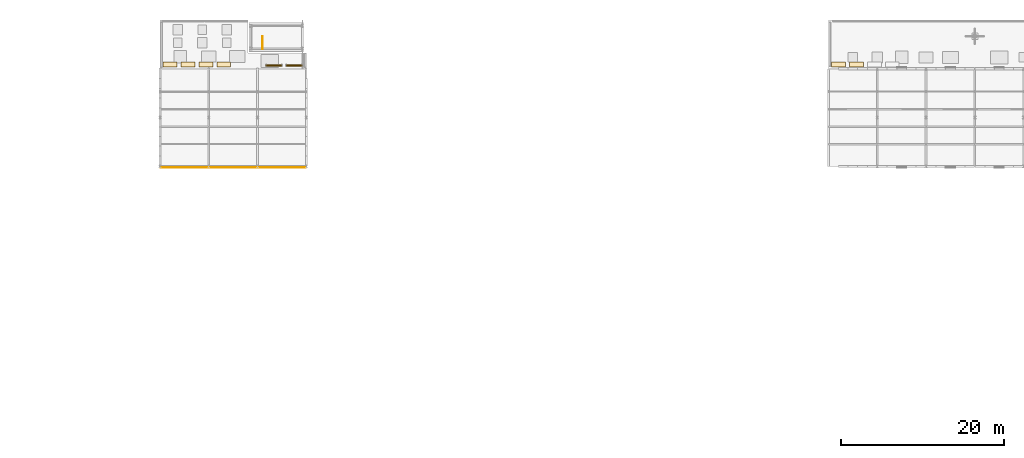
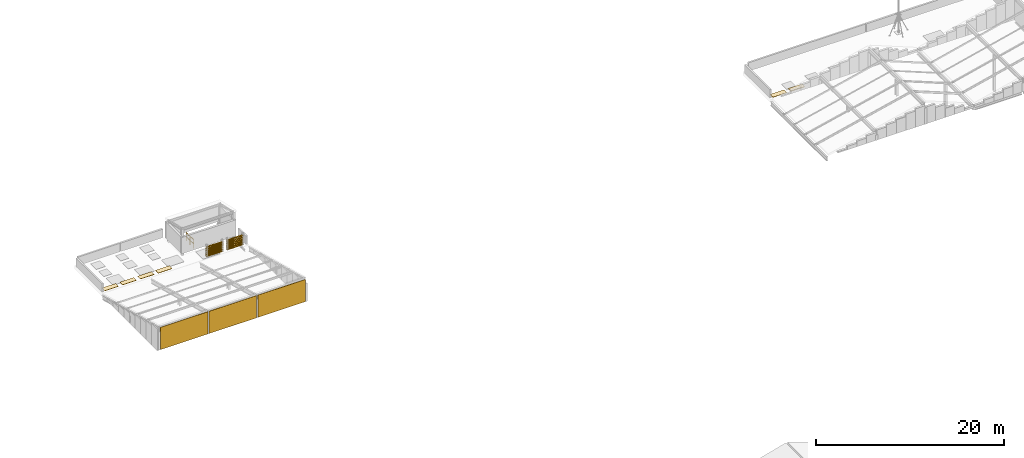
# One storey, part 72 of 74: 12 shading devices, 9 coverings, 1 railing.
"""IFC4 building model written with IfcOpenShell, lengths in metres."""

from ifc_helpers import new_model, si_unit, direction, frame, origin, origin_2d, place, context, subcontext, project, spatial, polyline, rectangle, circle, outline, extrude, material, layer, layer_set, type_object, element, save


model = new_model("IFC4")

# Units and contexts
model_context = context("Model", 3, precision=1e-05, world=origin(), true_north=direction((0.0, 1.0)))
body_context = subcontext(model_context, "Body", "Model", "MODEL_VIEW")
ifc_project = project(units=[si_unit("LENGTHUNIT", "METRE"), si_unit("AREAUNIT", "SQUARE_METRE"), si_unit("VOLUMEUNIT", "CUBIC_METRE"), si_unit("PLANEANGLEUNIT", "RADIAN"), si_unit("MASSUNIT", "GRAM", prefix="KILO")], contexts=[model_context])

# Site, building, storey
site_placement = place(None, origin())
site = spatial("IfcSite", under=ifc_project, at=site_placement, CompositionType="ELEMENT")
building_placement = place(site_placement, origin())
building = spatial("IfcBuilding", under=site, at=building_placement, Name="Siltcreek Boulevard Central Fire Station", CompositionType="ELEMENT")
storey_placement = place(building_placement, frame((0.0, 0.0, 25.199951171875)))
storey = spatial("IfcBuildingStorey", under=building, at=storey_placement, Name="RF", CompositionType="ELEMENT", Elevation=25.199951171875)

# Coverings
ifc_material_1 = material(Name="Clear-sealed Western Red Cedar gable cladding", Category="wood")
ifc_layer_1 = layer(ifc_material_1, 0.034912109375, Name="Clear-sealed Western Red Cedar gable cladding")
ifc_layer_set_1 = layer_set([ifc_layer_1], Name="Clear-sealed Western Red Cedar gable cladding")
covering_type_1 = type_object("IfcCoveringType", Name="COV_CLAD_CEDAR", PredefinedType="CLADDING", material=ifc_layer_set_1)
for number, where, z_axis, x_axis, name in (
    (1, (45.0, 94.052001953125, 0.030029296875), (0.0, 0.0, 1.0), (1.0, 0.0, 0.0), "Gable facade cladding panel CL-052"),
    (2, (51.0, 94.052001953125, 0.030029296875), (0.0, 0.0, 1.0), (1.0, 0.0, 0.0), "Gable facade cladding panel CL-053"),
    (3, (57.0, 94.052001953125, 0.030029296875), (0.0, 0.0, 1.0), (1.0, 0.0, 0.0), "Gable facade cladding panel CL-054"),
):
    element("IfcCovering", number, at=place(storey_placement, frame(where, z_axis=z_axis, x_axis=x_axis)), inside=storey, type_object=covering_type_1, Name=name, PredefinedType="CLADDING", context=body_context, shape_type="SweptSolid", body=[
        extrude(rectangle(XDim=5.85009765625, YDim=0.034912109375, at=origin_2d()), origin(), (0.0, 0.0, 1.0), 2.89208984375),
    ])
ifc_material_2 = material(Name="White standing-seam fluoropolymer aluminum roofing", Category="aluminium")
ifc_layer_2 = layer(ifc_material_2, 0.044921875, Name="White standing-seam fluoropolymer aluminum roofing")
ifc_layer_set_2 = layer_set([ifc_layer_2], Name="White standing-seam fluoropolymer aluminum roofing")
covering_type_2 = type_object("IfcCoveringType", Name="COV_ROOF_SEAM", PredefinedType="ROOFING", material=ifc_layer_set_2)
covering_1_placement = place(storey_placement, origin())
element("IfcCovering", 4, at=covering_1_placement, inside=storey, type_object=covering_type_2, Name="Roof weatherproofing membrane covering 01", PredefinedType="ROOFING", context=body_context, shape_type="SweptSolid", body=[
    extrude(outline(polyline([(42.39990234375, 106.449951171875), (44.10009765625, 106.449951171875), (44.10009765625, 107.050048828125), (42.39990234375, 107.050048828125), (42.39990234375, 106.449951171875)])), origin(), (0.0, 0.0, 1.0), 0.045166015625),
])
covering_2_placement = place(storey_placement, origin())
element("IfcCovering", 5, at=covering_2_placement, inside=storey, type_object=covering_type_2, Name="Roof weatherproofing membrane covering 02", PredefinedType="ROOFING", context=body_context, shape_type="SweptSolid", body=[
    extrude(outline(polyline([(44.60009765625, 106.449951171875), (46.300048828125, 106.449951171875), (46.300048828125, 107.050048828125), (44.60009765625, 107.050048828125), (44.60009765625, 106.449951171875)])), origin(), (0.0, 0.0, 1.0), 0.045166015625),
])
covering_3_placement = place(storey_placement, origin())
element("IfcCovering", 6, at=covering_3_placement, inside=storey, type_object=covering_type_2, Name="Roof weatherproofing membrane covering 03", PredefinedType="ROOFING", context=body_context, shape_type="SweptSolid", body=[
    extrude(outline(polyline([(46.800048828125, 106.449951171875), (48.5, 106.449951171875), (48.5, 107.050048828125), (46.800048828125, 107.050048828125), (46.800048828125, 106.449951171875)])), origin(), (0.0, 0.0, 1.0), 0.045166015625),
])
covering_4_placement = place(storey_placement, origin())
element("IfcCovering", 7, at=covering_4_placement, inside=storey, type_object=covering_type_2, Name="Roof weatherproofing membrane covering 04", PredefinedType="ROOFING", context=body_context, shape_type="SweptSolid", body=[
    extrude(outline(polyline([(49.0, 106.449951171875), (50.699951171875, 106.449951171875), (50.699951171875, 107.050048828125), (49.0, 107.050048828125), (49.0, 106.449951171875)])), origin(), (0.0, 0.0, 1.0), 0.045166015625),
])
covering_5_placement = place(storey_placement, frame((0.0, 0.0, -3.599853515625)))
element("IfcCovering", 8, at=covering_5_placement, inside=storey, type_object=covering_type_2, Name="Roof weatherproofing membrane covering 05", PredefinedType="ROOFING", context=body_context, shape_type="SweptSolid", body=[
    extrude(outline(polyline([(124.60009765625, 106.449951171875), (126.300048828125, 106.449951171875), (126.300048828125, 107.050048828125), (124.60009765625, 107.050048828125), (124.60009765625, 106.449951171875)])), origin(), (0.0, 0.0, 1.0), 0.044921875),
])
covering_6_placement = place(storey_placement, frame((0.0, 0.0, -3.599853515625)))
element("IfcCovering", 9, at=covering_6_placement, inside=storey, type_object=covering_type_2, Name="Roof weatherproofing membrane covering 06", PredefinedType="ROOFING", context=body_context, shape_type="SweptSolid", body=[
    extrude(outline(polyline([(126.800048828125, 106.449951171875), (128.5, 106.449951171875), (128.5, 107.050048828125), (126.800048828125, 107.050048828125), (126.800048828125, 106.449951171875)])), origin(), (0.0, 0.0, 1.0), 0.044921875),
])

# Railing
ifc_material_3 = material(Name="Painted galvanized steel stair guard", Category="steel")
railing_type = type_object("IfcRailingType", Name="RL_ST_GUARD", PredefinedType="BALUSTRADE", material=ifc_material_3)
railing_placement = place(storey_placement, frame((54.60009765625, 108.60009765625, 0.0)))
element("IfcRailing", 10, at=railing_placement, inside=storey, type_object=railing_type, Name="RF ST-V3-RF top well guard 1", PredefinedType="BALUSTRADE", context=body_context, shape_type="SweptSolid", body=[
    extrude(circle(Radius=0.02392578125, at=origin_2d()), frame((0.0, 0.0, 1.076171875), z_axis=(0.0, 1.0, 0.0), x_axis=(-1.0, 0.0, 0.0)), (0.0, 0.0, 1.0), 1.599853515625),
    extrude(circle(Radius=0.02392578125, at=origin_2d()), frame((0.0, 0.0, 0.550048828125), z_axis=(0.0, 1.0, 0.0), x_axis=(-1.0, 0.0, 0.0)), (0.0, 0.0, 1.0), 1.599853515625),
    extrude(circle(Radius=0.02099609375, at=origin_2d()), origin(), (0.0, 0.0, 1.0), 1.052001953125),
    extrude(circle(Radius=0.02099609375, at=origin_2d()), frame((0.0, 0.7998046875, 0.0)), (0.0, 0.0, 1.0), 1.052001953125),
    extrude(circle(Radius=0.02099609375, at=origin_2d()), frame((0.0, 1.599853515625, 0.0)), (0.0, 0.0, 1.0), 1.052001953125),
])

# Shading devices
ifc_material_4 = material(Name="Frey sage-green acoustic aluminum louvre screen", Category="aluminium")
ifc_layer_3 = layer(ifc_material_4, 0.06005859375, Name="Frey sage-green acoustic aluminum louvre screen")
ifc_layer_set_3 = layer_set([ifc_layer_3], Name="Frey sage-green acoustic aluminum louvre screen")
shading_device_type = type_object("IfcShadingDeviceType", Name="SHD_LOUVRE", PredefinedType="JALOUSIE", material=ifc_layer_set_3)
for number, where, z_axis, x_axis, name in (
    (11, (58.5, 106.6201171875, 0.0), (0.0, 0.0, 1.0), (1.0, 0.0, 0.0), "Rooftop heat-pump acoustic louvre blade V3S.1.1"),
    (12, (58.5, 106.6201171875, 0.239990234375), (0.0, 0.0, 1.0), (1.0, 0.0, 0.0), "Rooftop heat-pump acoustic louvre blade V3S.1.2"),
    (13, (58.5, 106.6201171875, 0.47998046875), (0.0, 0.0, 1.0), (1.0, 0.0, 0.0), "Rooftop heat-pump acoustic louvre blade V3S.1.3"),
    (14, (58.5, 106.6201171875, 0.719970703125), (0.0, 0.0, 1.0), (1.0, 0.0, 0.0), "Rooftop heat-pump acoustic louvre blade V3S.1.4"),
    (15, (58.5, 106.6201171875, 0.9599609375), (0.0, 0.0, 1.0), (1.0, 0.0, 0.0), "Rooftop heat-pump acoustic louvre blade V3S.1.5"),
    (16, (58.5, 106.6201171875, 1.199951171875), (0.0, 0.0, 1.0), (1.0, 0.0, 0.0), "Rooftop heat-pump acoustic louvre blade V3S.1.6"),
    (17, (56.0, 106.6201171875, 0.0), (0.0, 0.0, 1.0), (1.0, 0.0, 0.0), "Rooftop heat-pump acoustic louvre blade V3S.2.1"),
    (18, (56.0, 106.6201171875, 0.239990234375), (0.0, 0.0, 1.0), (1.0, 0.0, 0.0), "Rooftop heat-pump acoustic louvre blade V3S.2.2"),
    (19, (56.0, 106.6201171875, 0.47998046875), (0.0, 0.0, 1.0), (1.0, 0.0, 0.0), "Rooftop heat-pump acoustic louvre blade V3S.2.3"),
    (20, (56.0, 106.6201171875, 0.719970703125), (0.0, 0.0, 1.0), (1.0, 0.0, 0.0), "Rooftop heat-pump acoustic louvre blade V3S.2.4"),
    (21, (56.0, 106.6201171875, 0.9599609375), (0.0, 0.0, 1.0), (1.0, 0.0, 0.0), "Rooftop heat-pump acoustic louvre blade V3S.2.5"),
    (22, (56.0, 106.6201171875, 1.199951171875), (0.0, 0.0, 1.0), (1.0, 0.0, 0.0), "Rooftop heat-pump acoustic louvre blade V3S.2.6"),
):
    element("IfcShadingDevice", number, at=place(storey_placement, frame(where, z_axis=z_axis, x_axis=x_axis)), inside=storey, type_object=shading_device_type, Name=name, PredefinedType="JALOUSIE", context=body_context, shape_type="SweptSolid", body=[
        extrude(rectangle(XDim=2.0, YDim=0.179931640625, at=origin_2d()), origin(), (0.0, 0.0, 1.0), 0.06005859375),
    ])

save(model, "model.ifc")
